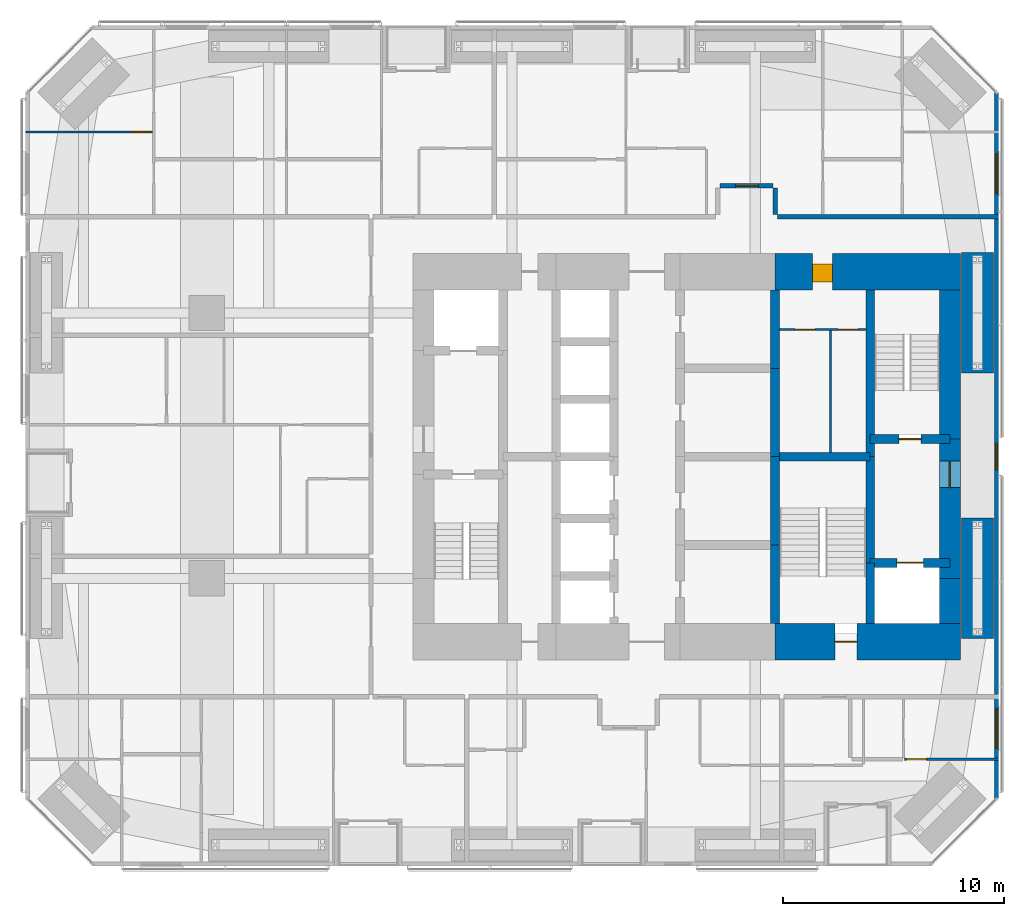
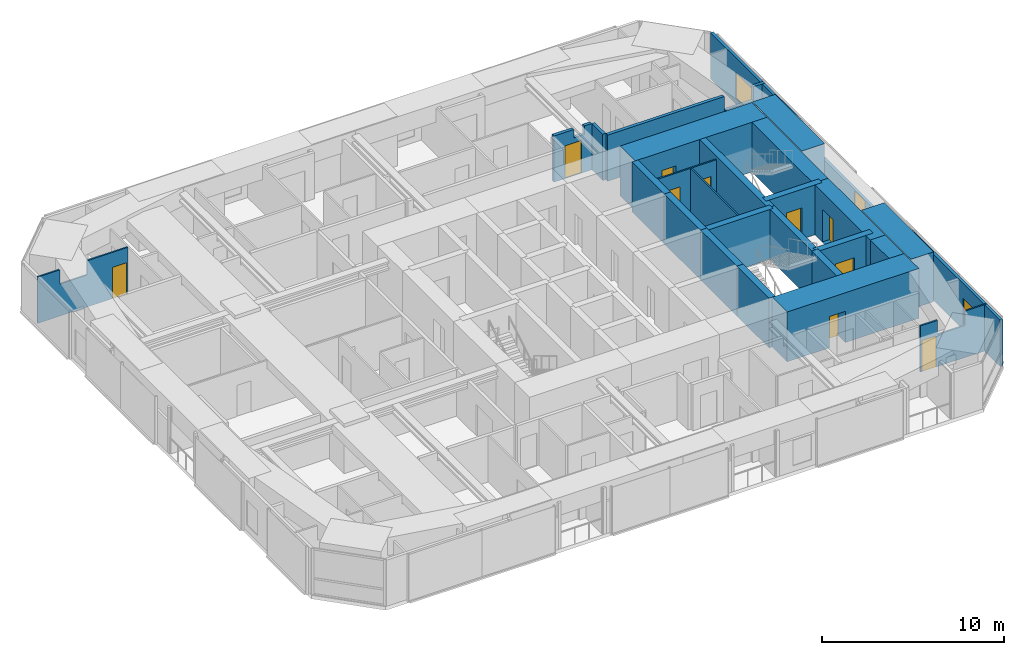
# One storey, part 20 of 23: 25 walls, 10 doors, 3 windows, 13 openings.
"""IFC4 building model written with IfcOpenShell, lengths in metres."""

from ifc_helpers import new_model, si_unit, direction, frame, frame_2d, origin, place, context, subcontext, project, spatial, polyline, rectangle, outline, extrude, material, layer, layer_set, constituent, constituent_set, type_object, element, fill, save


model = new_model("IFC4")

# Units and contexts
model_context = context("Model", 3, precision=1e-05, world=origin(), true_north=direction((0.0, 1.0)))
body_context = subcontext(model_context, "Body", "Model", "MODEL_VIEW")
ifc_project = project(units=[si_unit("LENGTHUNIT", "METRE"), si_unit("AREAUNIT", "SQUARE_METRE"), si_unit("VOLUMEUNIT", "CUBIC_METRE"), si_unit("PLANEANGLEUNIT", "RADIAN"), si_unit("MASSUNIT", "GRAM", prefix="KILO")], contexts=[model_context])

# Site, building, storey
site_placement = place(None, origin())
site = spatial("IfcSite", under=ifc_project, at=site_placement, CompositionType="ELEMENT")
building_placement = place(site_placement, origin())
building = spatial("IfcBuilding", under=site, at=building_placement, Name="Jalousie Tower", CompositionType="ELEMENT")
storey_placement = place(building_placement, frame((0.0, 0.0, 34.39990234375)))
storey = spatial("IfcBuildingStorey", under=building, at=storey_placement, Name="L08", CompositionType="ELEMENT", Elevation=34.39990234375)

# Wall, opening, door
ifc_material_1 = material(Name="Concrete f'c 120 MPa", Category="concrete")
ifc_layer_1 = layer(ifc_material_1, 1.64990234375)
ifc_layer_set_1 = layer_set([ifc_layer_1], Name="Concrete f'c 120 MPa")
wall_type_1 = type_object("IfcWallType", Name="CORE WALL 1650", PredefinedType="SHEAR", material=ifc_layer_set_1)
wall_1_placement = place(storey_placement, frame((35.89990234375, 10.125, 0.0), z_axis=(0.0, 0.0, 1.0), x_axis=(1.0, 0.0, 0.0)))
wall_1 = element("IfcWall", 1, at=wall_1_placement, inside=storey, type_object=wall_type_1, Name="Core wall SD L08", PredefinedType="SHEAR", context=body_context, shape_type="SweptSolid", body=[
    extrude(rectangle(XDim=8.375, YDim=1.64990234375, at=frame_2d((4.1875, 0.0))), origin(), (0.0, 0.0, 1.0), 3.35009765625),
])
opening_1_placement = place(wall_1_placement, frame((2.699951171875, 0.0, 0.0)))
opening_1 = element("IfcOpeningElement", 2, at=opening_1_placement, cuts=wall_1, Name="Opening D10", PredefinedType="OPENING", context=body_context, shape_type="SweptSolid", body=[
    extrude(rectangle(XDim=1.0, YDim=2.10009765625, at=frame_2d((0.5, 1.050048828125))), frame((0.0, 0.8349609375, 0.0), z_axis=(0.0, -1.0, 0.0), x_axis=(1.0, 0.0, 0.0)), (0.0, 0.0, 1.0), 1.669921875),
])
ifc_material_2 = material(Name="Steel fire door", Category="steel")
door_type_1 = type_object("IfcDoorType", Name="STAIR DOOR 1000", OperationType="SINGLE_SWING_LEFT", PredefinedType="DOOR", material=ifc_material_2)
door_1_placement = place(opening_1_placement, origin())
door_1 = element("IfcDoor", 3, at=door_1_placement, inside=storey, type_object=door_type_1, Name="Exit stair C door", OperationType="SINGLE_SWING_RIGHT", OverallHeight=2.10009765625, OverallWidth=1.0, PredefinedType="DOOR", context=body_context, shape_type="SweptSolid", body=[
    extrude(rectangle(XDim=1.0, YDim=2.10009765625, at=frame_2d((0.5, 1.050048828125))), frame((0.0, 0.02490234375, 0.0), z_axis=(0.0, -1.0, 0.0), x_axis=(1.0, 0.0, 0.0)), (0.0, 0.0, 1.0), 0.050048828125),
])
fill(opening_1, door_1)

wall_2_placement = place(storey_placement, frame((44.27490234375, 26.875, 0.0), z_axis=(0.0, 0.0, 1.0), x_axis=(-1.0, 0.0, 0.0)))
wall_2 = element("IfcWall", 4, at=wall_2_placement, inside=storey, type_object=wall_type_1, Name="Core wall NA L08", PredefinedType="SHEAR", context=body_context, shape_type="SweptSolid", body=[
    extrude(rectangle(XDim=8.375, YDim=1.64990234375, at=frame_2d((4.1875, 0.0))), origin(), (0.0, 0.0, 1.0), 3.35009765625),
])
opening_2_placement = place(wall_2_placement, frame((5.77490234375, 0.0, 0.0)))
opening_2 = element("IfcOpeningElement", 5, at=opening_2_placement, cuts=wall_2, Name="Opening D25", PredefinedType="OPENING", context=body_context, shape_type="SweptSolid", body=[
    extrude(rectangle(XDim=0.89990234375, YDim=2.10009765625, at=frame_2d((0.449951171875, 1.050048828125))), frame((0.0, 0.8349609375, 0.0), z_axis=(0.0, -1.0, 0.0), x_axis=(1.0, 0.0, 0.0)), (0.0, 0.0, 1.0), 1.669921875),
])
ifc_material_3 = material(Name="Steel fire door", Category="steel")
door_type_2 = type_object("IfcDoorType", Name="SERVICE LOBBY DOOR 900", OperationType="SINGLE_SWING_LEFT", PredefinedType="DOOR", material=ifc_material_3)
door_2_placement = place(opening_2_placement, origin())
door_2 = element("IfcDoor", 6, at=door_2_placement, inside=storey, type_object=door_type_2, Name="Service lobby door", OperationType="SINGLE_SWING_RIGHT", OverallHeight=2.10009765625, OverallWidth=0.89990234375, PredefinedType="DOOR", context=body_context, shape_type="SweptSolid", body=[
    extrude(rectangle(XDim=0.89990234375, YDim=2.10009765625, at=frame_2d((0.449951171875, 1.050048828125))), frame((0.0, 0.47021484375, 0.0), z_axis=(0.0, -1.0, 0.0), x_axis=(1.0, 0.0, 0.0)), (0.0, 0.0, 1.0), 0.800048828125),
])
fill(opening_2, door_2)

# Walls
ifc_material_4 = material(Name="Concrete f'c 120 MPa", Category="concrete")
ifc_layer_2 = layer(ifc_material_4, 0.39990234375)
ifc_layer_set_2 = layer_set([ifc_layer_2], Name="Concrete f'c 120 MPa")
wall_type_2 = type_object("IfcWallType", Name="CORE WALL 400", PredefinedType="SHEAR", material=ifc_layer_set_2)
wall_3_placement = place(storey_placement, frame((35.89990234375, 10.949951171875, 0.0), z_axis=(0.0, 0.0, 1.0), x_axis=(0.0, 1.0, 0.0)))
element("IfcWall", 7, at=wall_3_placement, inside=storey, type_object=wall_type_2, Name="Core wall X35.9A L08", PredefinedType="SHEAR", context=body_context, shape_type="SweptSolid", body=[
    extrude(rectangle(XDim=3.550048828125, YDim=0.39990234375, at=frame_2d((1.77490234375, 0.0))), origin(), (0.0, 0.0, 1.0), 3.35009765625),
])
for number, where, z_axis, x_axis, name in (
    (8, (35.89990234375, 14.5, 0.0), (0.0, 0.0, 1.0), (0.0, 1.0, 0.0), "Core wall X35.9B L08"),
    (9, (35.89990234375, 18.5, 0.0), (0.0, 0.0, 1.0), (0.0, 1.0, 0.0), "Core wall X35.9C L08"),
):
    element("IfcWall", number, at=place(storey_placement, frame(where, z_axis=z_axis, x_axis=x_axis)), inside=storey, type_object=wall_type_2, Name=name, PredefinedType="SHEAR", context=body_context, shape_type="SweptSolid", body=[
        extrude(rectangle(XDim=4.0, YDim=0.39990234375, at=frame_2d((2.0, 0.0))), origin(), (0.0, 0.0, 1.0), 3.35009765625),
    ])
wall_4_placement = place(storey_placement, frame((35.89990234375, 22.5, 0.0), z_axis=(0.0, 0.0, 1.0), x_axis=(0.0, 1.0, 0.0)))
element("IfcWall", 10, at=wall_4_placement, inside=storey, type_object=wall_type_2, Name="Core wall X35.9D L08", PredefinedType="SHEAR", context=body_context, shape_type="SweptSolid", body=[
    extrude(rectangle(XDim=3.550048828125, YDim=0.39990234375, at=frame_2d((1.77490234375, 0.0))), origin(), (0.0, 0.0, 1.0), 3.35009765625),
])
wall_5_placement = place(storey_placement, frame((40.199951171875, 10.949951171875, 0.0), z_axis=(0.0, 0.0, 1.0), x_axis=(0.0, 1.0, 0.0)))
element("IfcWall", 11, at=wall_5_placement, inside=storey, type_object=wall_type_2, Name="Core wall X40.2A L08", PredefinedType="SHEAR", context=body_context, shape_type="SweptSolid", body=[
    extrude(rectangle(XDim=2.75, YDim=0.39990234375, at=frame_2d((1.375, 0.0))), origin(), (0.0, 0.0, 1.0), 3.35009765625),
])
wall_6_placement = place(storey_placement, frame((40.199951171875, 13.699951171875, 0.0), z_axis=(0.0, 0.0, 1.0), x_axis=(0.0, 1.0, 0.0)))
element("IfcWall", 12, at=wall_6_placement, inside=storey, type_object=wall_type_2, Name="Core wall X40.2B L08", PredefinedType="SHEAR", context=body_context, shape_type="SweptSolid", body=[
    extrude(rectangle(XDim=4.800048828125, YDim=0.39990234375, at=frame_2d((2.39990234375, 0.0))), origin(), (0.0, 0.0, 1.0), 3.35009765625),
])
wall_7_placement = place(storey_placement, frame((40.199951171875, 18.5, 0.0), z_axis=(0.0, 0.0, 1.0), x_axis=(0.0, 1.0, 0.0)))
element("IfcWall", 13, at=wall_7_placement, inside=storey, type_object=wall_type_2, Name="Core wall X40.2C L08", PredefinedType="SHEAR", context=body_context, shape_type="SweptSolid", body=[
    extrude(rectangle(XDim=7.550048828125, YDim=0.39990234375, at=frame_2d((3.77490234375, 0.0))), origin(), (0.0, 0.0, 1.0), 3.35009765625),
])
wall_8_placement = place(storey_placement, frame((35.89990234375, 18.5, 0.0), z_axis=(0.0, 0.0, 1.0), x_axis=(1.0, 0.0, 0.0)))
element("IfcWall", 14, at=wall_8_placement, inside=storey, type_object=wall_type_2, Name="Core wall Y35.9-18.5 L08", PredefinedType="SHEAR", context=body_context, shape_type="SweptSolid", body=[
    extrude(rectangle(XDim=4.300048828125, YDim=0.39990234375, at=frame_2d((2.14990234375, 0.0))), origin(), (0.0, 0.0, 1.0), 3.35009765625),
])

# Wall, opening, door
wall_9_placement = place(storey_placement, frame((40.199951171875, 13.699951171875, 0.0), z_axis=(0.0, 0.0, 1.0), x_axis=(1.0, 0.0, 0.0)))
wall_9 = element("IfcWall", 15, at=wall_9_placement, inside=storey, type_object=wall_type_2, Name="Core wall Y40.2-13.7 L08", PredefinedType="SHEAR", context=body_context, shape_type="SweptSolid", body=[
    extrude(rectangle(XDim=3.60009765625, YDim=0.39990234375, at=frame_2d((1.800048828125, 0.0))), origin(), (0.0, 0.0, 1.0), 3.35009765625),
])
opening_3_placement = place(wall_9_placement, frame((1.199951171875, 0.0, 0.0)))
opening_3 = element("IfcOpeningElement", 16, at=opening_3_placement, cuts=wall_9, Name="Opening LD2", PredefinedType="OPENING", context=body_context, shape_type="SweptSolid", body=[
    extrude(rectangle(XDim=1.199951171875, YDim=2.10009765625, at=frame_2d((0.60009765625, 1.050048828125))), frame((0.0, 0.2099609375, 0.0), z_axis=(0.0, -1.0, 0.0), x_axis=(1.0, 0.0, 0.0)), (0.0, 0.0, 1.0), 0.419921875),
])
ifc_material_5 = material(Name="Steel lift landing door", Category="steel")
door_type_3 = type_object("IfcDoorType", Name="LIFT LANDING DOOR 1200", OperationType="SLIDING_TO_LEFT", PredefinedType="DOOR", material=ifc_material_5)
door_3_placement = place(opening_3_placement, origin())
door_3 = element("IfcDoor", 17, at=door_3_placement, inside=storey, type_object=door_type_3, Name="Lift F2 landing door", OperationType="SLIDING_TO_LEFT", OverallHeight=2.10009765625, OverallWidth=1.199951171875, PredefinedType="DOOR", context=body_context, shape_type="SweptSolid", body=[
    extrude(rectangle(XDim=1.199951171875, YDim=2.10009765625, at=frame_2d((0.60009765625, 1.050048828125))), frame((0.0, 0.02490234375, 0.0), z_axis=(0.0, -1.0, 0.0), x_axis=(1.0, 0.0, 0.0)), (0.0, 0.0, 1.0), 0.050048828125),
])
fill(opening_3, door_3)

wall_10_placement = place(storey_placement, frame((40.199951171875, 19.300048828125, 0.0), z_axis=(0.0, 0.0, 1.0), x_axis=(1.0, 0.0, 0.0)))
wall_10 = element("IfcWall", 18, at=wall_10_placement, inside=storey, type_object=wall_type_2, Name="Core wall Y40.2-19.3 L08", PredefinedType="SHEAR", context=body_context, shape_type="SweptSolid", body=[
    extrude(rectangle(XDim=3.60009765625, YDim=0.39990234375, at=frame_2d((1.800048828125, 0.0))), origin(), (0.0, 0.0, 1.0), 3.35009765625),
])
opening_4_placement = place(wall_10_placement, frame((1.300048828125, 0.0, 0.0)))
opening_4 = element("IfcOpeningElement", 19, at=opening_4_placement, cuts=wall_10, Name="Opening D10", PredefinedType="OPENING", context=body_context, shape_type="SweptSolid", body=[
    extrude(rectangle(XDim=1.0, YDim=2.10009765625, at=frame_2d((0.5, 1.050048828125))), frame((0.0, 0.2099609375, 0.0), z_axis=(0.0, -1.0, 0.0), x_axis=(1.0, 0.0, 0.0)), (0.0, 0.0, 1.0), 0.419921875),
])
door_4_placement = place(opening_4_placement, origin())
door_4 = element("IfcDoor", 20, at=door_4_placement, inside=storey, type_object=door_type_1, Name="Exit stair B door", OperationType="SINGLE_SWING_RIGHT", OverallHeight=2.10009765625, OverallWidth=1.0, PredefinedType="DOOR", context=body_context, shape_type="SweptSolid", body=[
    extrude(rectangle(XDim=1.0, YDim=2.10009765625, at=frame_2d((0.5, 1.050048828125))), frame((0.0, 0.02490234375, 0.0), z_axis=(0.0, -1.0, 0.0), x_axis=(1.0, 0.0, 0.0)), (0.0, 0.0, 1.0), 0.050048828125),
])
fill(opening_4, door_4)

# Wall
ifc_material_6 = material(Name="Concrete f'c 120 MPa", Category="concrete")
ifc_layer_3 = layer(ifc_material_6, 0.949951171875)
ifc_layer_set_3 = layer_set([ifc_layer_3], Name="Concrete f'c 120 MPa")
wall_type_3 = type_object("IfcWallType", Name="CORE WALL 950", PredefinedType="SHEAR", material=ifc_layer_set_3)
wall_11_placement = place(storey_placement, frame((43.800048828125, 10.949951171875, 0.0), z_axis=(0.0, 0.0, 1.0), x_axis=(0.0, 1.0, 0.0)))
element("IfcWall", 21, at=wall_11_placement, inside=storey, type_object=wall_type_3, Name="Core wall EA L08", PredefinedType="SHEAR", context=body_context, shape_type="SweptSolid", body=[
    extrude(rectangle(XDim=2.050048828125, YDim=0.949951171875, at=frame_2d((1.02490234375, 0.0))), origin(), (0.0, 0.0, 1.0), 3.35009765625),
])

# Wall, opening, door
wall_12_placement = place(storey_placement, frame((43.800048828125, 13.0, 0.0), z_axis=(0.0, 0.0, 1.0), x_axis=(0.0, 1.0, 0.0)))
wall_12 = element("IfcWall", 22, at=wall_12_placement, inside=storey, type_object=wall_type_3, Name="Core wall EB L08", PredefinedType="SHEAR", context=body_context, shape_type="SweptSolid", body=[
    extrude(rectangle(XDim=6.300048828125, YDim=0.949951171875, at=frame_2d((3.14990234375, 0.0))), origin(), (0.0, 0.0, 1.0), 3.35009765625),
])
opening_5_placement = place(wall_12_placement, frame((4.10009765625, 0.0, 0.0)))
opening_5 = element("IfcOpeningElement", 23, at=opening_5_placement, cuts=wall_12, Name="Opening D11", PredefinedType="OPENING", context=body_context, shape_type="SweptSolid", body=[
    extrude(rectangle(XDim=1.199951171875, YDim=2.199951171875, at=frame_2d((0.60009765625, 1.10009765625))), frame((0.0, 0.48486328125, 0.0), z_axis=(0.0, -1.0, 0.0), x_axis=(1.0, 0.0, 0.0)), (0.0, 0.0, 1.0), 0.969970703125),
])
ifc_material_7 = material(Name="Steel fire door", Category="steel")
door_type_4 = type_object("IfcDoorType", Name="FIRE DOOR 1200", OperationType="SINGLE_SWING_LEFT", PredefinedType="DOOR", material=ifc_material_7)
door_5_placement = place(opening_5_placement, origin())
door_5 = element("IfcDoor", 24, at=door_5_placement, inside=storey, type_object=door_type_4, Name="Fire-fighting lobby B door", OperationType="SINGLE_SWING_RIGHT", OverallHeight=2.199951171875, OverallWidth=1.199951171875, PredefinedType="DOOR", context=body_context, shape_type="SweptSolid", body=[
    extrude(rectangle(XDim=1.199951171875, YDim=2.199951171875, at=frame_2d((0.60009765625, 1.10009765625))), frame((0.0, 0.02490234375, 0.0), z_axis=(0.0, -1.0, 0.0), x_axis=(1.0, 0.0, 0.0)), (0.0, 0.0, 1.0), 0.050048828125),
])
fill(opening_5, door_5)

# Walls
wall_13_placement = place(storey_placement, frame((43.800048828125, 19.300048828125, 0.0), z_axis=(0.0, 0.0, 1.0), x_axis=(0.0, 1.0, 0.0)))
element("IfcWall", 25, at=wall_13_placement, inside=storey, type_object=wall_type_3, Name="Core wall EC L08", PredefinedType="SHEAR", context=body_context, shape_type="SweptSolid", body=[
    extrude(rectangle(XDim=6.75, YDim=0.949951171875, at=frame_2d((3.375, 0.0))), origin(), (0.0, 0.0, 1.0), 3.35009765625),
])
ifc_material_8 = material(Name="Concrete block ASTM C90", Category="concrete")
ifc_constituent_1 = constituent(ifc_material_8, Name="Body")
ifc_material_9 = material(Name="Render")
ifc_constituent_2 = constituent(ifc_material_9, Name="Finish")
ifc_constituent_set_1 = constituent_set(constituents=[ifc_constituent_1, ifc_constituent_2])
wall_type_4 = type_object("IfcWallType", Name="CORRIDOR WALL 200", PredefinedType="PARTITIONING", material=ifc_constituent_set_1)
wall_14_placement = place(storey_placement, frame((36.0, 29.35009765625, 0.0), z_axis=(0.0, 0.0, 1.0), x_axis=(1.0, 0.0, 0.0)))
element("IfcWall", 26, at=wall_14_placement, inside=storey, type_object=wall_type_4, Name="Corridor Wall 200 L08", PredefinedType="PARTITIONING", context=body_context, shape_type="SweptSolid", body=[
    extrude(outline(polyline([(0.0, 0.0), (10.0, 0.0), (10.0, 3.110107421875), (9.2666015625, 3.110107421875), (9.2666015625, 2.150146484375), (7.422607421875, 2.150146484375), (7.422607421875, 3.110107421875), (0.0, 3.110107421875), (0.0, 0.0)])), frame((0.0, 0.10009765625, 0.0), z_axis=(0.0, -1.0, 0.0), x_axis=(1.0, 0.0, 0.0)), (0.0, 0.0, 1.0), 0.199951171875),
])

# Wall, opening, door
wall_15_placement = place(storey_placement, frame((33.39990234375, 30.75, 0.0), z_axis=(0.0, 0.0, 1.0), x_axis=(1.0, 0.0, 0.0)))
wall_15 = element("IfcWall", 27, at=wall_15_placement, inside=storey, type_object=wall_type_4, Name="Corridor Wall 200 L08", PredefinedType="PARTITIONING", context=body_context, shape_type="SweptSolid", body=[
    extrude(outline(polyline([(0.0, 0.0), (2.400146484375, 0.0), (2.39990234375, 3.110107421875), (1.9375, 3.110107421875), (1.9375, 2.541015625), (1.2626953125, 2.541015625), (1.2626953125, 3.110107421875), (0.0, 3.110107421875), (0.0, 0.0)])), frame((0.0, 0.10009765625, 0.0), z_axis=(0.0, -1.0, 0.0), x_axis=(1.0, 0.0, 0.0)), (0.0, 0.0, 1.0), 0.199951171875),
])
opening_6_placement = place(wall_15_placement, frame((0.699951171875, 0.0, 0.0)))
opening_6 = element("IfcOpeningElement", 28, at=opening_6_placement, cuts=wall_15, Name="Opening D1", PredefinedType="OPENING", context=body_context, shape_type="SweptSolid", body=[
    extrude(rectangle(XDim=1.050048828125, YDim=2.199951171875, at=frame_2d((0.52490234375, 1.10009765625))), frame((0.0, 0.10986328125, 0.0), z_axis=(0.0, -1.0, 0.0), x_axis=(1.0, 0.0, 0.0)), (0.0, 0.0, 1.0), 0.219970703125),
])
ifc_material_10 = material(Name="Timber fire door", Category="wood")
door_type_5 = type_object("IfcDoorType", Name="APARTMENT ENTRANCE DOOR 1050", OperationType="SINGLE_SWING_LEFT", PredefinedType="DOOR", material=ifc_material_10)
door_6_placement = place(opening_6_placement, origin())
door_6 = element("IfcDoor", 29, at=door_6_placement, inside=storey, type_object=door_type_5, Name="Apartment 0805 entrance", OperationType="SINGLE_SWING_LEFT", OverallHeight=2.199951171875, OverallWidth=1.050048828125, PredefinedType="DOOR", context=body_context, shape_type="SweptSolid", body=[
    extrude(rectangle(XDim=1.050048828125, YDim=2.199951171875, at=frame_2d((0.52490234375, 1.10009765625))), frame((0.0, 0.02490234375, 0.0), z_axis=(0.0, -1.0, 0.0), x_axis=(1.0, 0.0, 0.0)), (0.0, 0.0, 1.0), 0.050048828125),
])
fill(opening_6, door_6)

# Wall
wall_16_placement = place(storey_placement, frame((35.89990234375, 29.449951171875, 0.0), z_axis=(0.0, 0.0, 1.0), x_axis=(0.0, 1.0, 0.0)))
element("IfcWall", 30, at=wall_16_placement, inside=storey, type_object=wall_type_4, Name="Corridor Wall 200 L08", PredefinedType="PARTITIONING", context=body_context, shape_type="SweptSolid", body=[
    extrude(rectangle(XDim=1.199951171875, YDim=0.199951171875, at=frame_2d((0.60009765625, 0.0))), origin(), (0.0, 0.0, 1.0), 3.110107421875),
])

# Wall, openings, windows
ifc_material_11 = material(Name="Concrete f'c 40 MPa", Category="concrete")
ifc_constituent_3 = constituent(ifc_material_11, Name="Body")
ifc_material_12 = material(Name="Render, pastel coral")
ifc_constituent_4 = constituent(ifc_material_12, Name="Finish")
ifc_constituent_set_2 = constituent_set(constituents=[ifc_constituent_3, ifc_constituent_4])
wall_type_5 = type_object("IfcWallType", Name="EXTERNAL WALL 175 CORAL RENDER", PredefinedType="SOLIDWALL", material=ifc_constituent_set_2)
wall_17_placement = place(storey_placement, frame((45.91259765625, 3.05126953125, 0.0), z_axis=(0.0, 0.0, 1.0), x_axis=(0.0, 1.0, 0.0)))
wall_17 = element("IfcWall", 31, at=wall_17_placement, inside=storey, type_object=wall_type_5, Name="External Wall 175 Coral Render L08", PredefinedType="SOLIDWALL", context=body_context, shape_type="SweptSolid", body=[
    extrude(outline(polyline([(0.0, 0.0), (31.8974609375, 0.0), (31.8974609375, 3.110107421875), (22.167236328125, 3.110107421875), (22.167236328125, 2.150146484375), (22.074462890625, 2.150146484375), (22.074462890625, 3.110107421875), (21.94873046875, 3.110107421875), (21.94873046875, 2.150146484375), (9.94873046875, 2.150146484375), (9.94873046875, 3.110107421875), (9.822998046875, 3.110107421875), (9.822998046875, 2.150146484375), (9.72998046875, 2.150146484375), (9.72998046875, 3.110107421875), (0.0, 3.110107421875), (0.0, 0.0)])), frame((0.0, 0.08740234375, 0.0), z_axis=(0.0, -1.0, 0.0), x_axis=(1.0, 0.0, 0.0)), (0.0, 0.0, 1.0), 0.175048828125),
])
opening_7_placement = place(wall_17_placement, frame((2.25732421875, 0.0, 0.39990234375)))
opening_7 = element("IfcOpeningElement", 32, at=opening_7_placement, cuts=wall_17, Name="Opening W-BED170", PredefinedType="OPENING", context=body_context, shape_type="SweptSolid", body=[
    extrude(rectangle(XDim=1.800048828125, YDim=1.699951171875, at=frame_2d((0.89990234375, 0.85009765625))), frame((0.0, 0.097412109375, 0.0), z_axis=(0.0, -1.0, 0.0), x_axis=(1.0, 0.0, 0.0)), (0.0, 0.0, 1.0), 0.195068359375),
])
opening_8_placement = place(wall_17_placement, frame((14.8486328125, 0.0, 0.39990234375)))
opening_8 = element("IfcOpeningElement", 33, at=opening_8_placement, cuts=wall_17, Name="Opening W-COR170", PredefinedType="OPENING", context=body_context, shape_type="SweptSolid", body=[
    extrude(rectangle(XDim=1.199951171875, YDim=1.699951171875, at=frame_2d((0.60009765625, 0.85009765625))), frame((0.0, 0.097412109375, 0.0), z_axis=(0.0, -1.0, 0.0), x_axis=(1.0, 0.0, 0.0)), (0.0, 0.0, 1.0), 0.195068359375),
])
opening_9_placement = place(wall_17_placement, frame((27.340087890625, 0.0, 0.39990234375)))
opening_9 = element("IfcOpeningElement", 34, at=opening_9_placement, cuts=wall_17, Name="Opening W-BED170", PredefinedType="OPENING", context=body_context, shape_type="SweptSolid", body=[
    extrude(rectangle(XDim=1.800048828125, YDim=1.699951171875, at=frame_2d((0.89990234375, 0.85009765625))), frame((0.0, 0.097412109375, 0.0), z_axis=(0.0, -1.0, 0.0), x_axis=(1.0, 0.0, 0.0)), (0.0, 0.0, 1.0), 0.195068359375),
])
ifc_material_13 = material(Name="Aluminium frame, impact-rated glazing", Category="aluminium")
window_type_1 = type_object("IfcWindowType", Name="WINDOW BED 1800x1700", PartitioningType="SINGLE_PANEL", PredefinedType="WINDOW", material=ifc_material_13)
window_1_placement = place(opening_7_placement, origin())
window_1 = element("IfcWindow", 35, at=window_1_placement, inside=storey, type_object=window_type_1, Name="Apartment 0803 bedroom 1 window", OverallHeight=1.699951171875, OverallWidth=1.800048828125, PartitioningType="SINGLE_PANEL", PredefinedType="WINDOW", context=body_context, shape_type="SweptSolid", body=[
    extrude(rectangle(XDim=1.800048828125, YDim=1.699951171875, at=frame_2d((0.89990234375, 0.85009765625))), frame((0.0, 0.030029296875, 0.0), z_axis=(0.0, -1.0, 0.0), x_axis=(1.0, 0.0, 0.0)), (0.0, 0.0, 1.0), 0.06005859375),
])
fill(opening_7, window_1)
window_2_placement = place(opening_9_placement, origin())
window_2 = element("IfcWindow", 36, at=window_2_placement, inside=storey, type_object=window_type_1, Name="Apartment 0805 bedroom 3 window", OverallHeight=1.699951171875, OverallWidth=1.800048828125, PartitioningType="SINGLE_PANEL", PredefinedType="WINDOW", context=body_context, shape_type="SweptSolid", body=[
    extrude(rectangle(XDim=1.800048828125, YDim=1.699951171875, at=frame_2d((0.89990234375, 0.85009765625))), frame((0.0, 0.030029296875, 0.0), z_axis=(0.0, -1.0, 0.0), x_axis=(1.0, 0.0, 0.0)), (0.0, 0.0, 1.0), 0.06005859375),
])
fill(opening_9, window_2)
ifc_material_14 = material(Name="Aluminium frame, impact-rated glazing", Category="aluminium")
window_type_2 = type_object("IfcWindowType", Name="WINDOW COR 1200x1700", PartitioningType="SINGLE_PANEL", PredefinedType="WINDOW", material=ifc_material_14)
window_3_placement = place(opening_8_placement, origin())
window_3 = element("IfcWindow", 37, at=window_3_placement, inside=storey, type_object=window_type_2, Name="Corridor window", OverallHeight=1.699951171875, OverallWidth=1.199951171875, PartitioningType="SINGLE_PANEL", PredefinedType="WINDOW", context=body_context, shape_type="SweptSolid", body=[
    extrude(rectangle(XDim=1.199951171875, YDim=1.699951171875, at=frame_2d((0.60009765625, 0.85009765625))), frame((0.0, 0.030029296875, 0.0), z_axis=(0.0, -1.0, 0.0), x_axis=(1.0, 0.0, 0.0)), (0.0, 0.0, 1.0), 0.06005859375),
])
fill(opening_8, window_3)

# Wall, opening, door
ifc_material_15 = material(Name="Gypsum board", Category="gypsum")
ifc_constituent_5 = constituent(ifc_material_15, Name="Body")
ifc_material_16 = material(Name="Light-gauge steel studs ASTM A653 SS Grade 33", Category="steel")
ifc_constituent_6 = constituent(ifc_material_16, Name="Framing")
ifc_constituent_set_3 = constituent_set(constituents=[ifc_constituent_5, ifc_constituent_6])
wall_type_6 = type_object("IfcWallType", Name="PARTITION 100", PredefinedType="PARTITIONING", material=ifc_constituent_set_3)
wall_18_placement = place(storey_placement, frame((41.75, 4.8173828125, 0.0), z_axis=(0.0, 0.0, 1.0), x_axis=(1.0, 0.0, 0.0)))
wall_18 = element("IfcWall", 38, at=wall_18_placement, inside=storey, type_object=wall_type_6, Name="Partition 100 L08", PredefinedType="PARTITIONING", context=body_context, shape_type="SweptSolid", body=[
    extrude(outline(polyline([(0.0, 0.0), (4.25, 0.0), (4.25, 3.110107421875), (2.84423828125, 3.110107421875), (2.84423828125, 2.150146484375), (1.101806640625, 2.150146484375), (1.101806640625, 3.110107421875), (0.0, 3.110107421875), (0.0, 0.0)])), frame((0.0, 0.050048828125, 0.0), z_axis=(0.0, -1.0, 0.0), x_axis=(1.0, 0.0, 0.0)), (0.0, 0.0, 1.0), 0.10009765625),
])
opening_10_placement = place(wall_18_placement, frame((0.10009765625, 0.0, 0.0)))
opening_10 = element("IfcOpeningElement", 39, at=opening_10_placement, cuts=wall_18, Name="Opening D2", PredefinedType="OPENING", context=body_context, shape_type="SweptSolid", body=[
    extrude(rectangle(XDim=0.89990234375, YDim=2.10009765625, at=frame_2d((0.449951171875, 1.050048828125))), frame((0.0, 0.06005859375, 0.0), z_axis=(0.0, -1.0, 0.0), x_axis=(1.0, 0.0, 0.0)), (0.0, 0.0, 1.0), 0.1201171875),
])
ifc_material_17 = material(Name="Timber door", Category="wood")
door_type_6 = type_object("IfcDoorType", Name="BEDROOM DOOR 900", OperationType="SINGLE_SWING_LEFT", PredefinedType="DOOR", material=ifc_material_17)
door_7_placement = place(opening_10_placement, origin())
door_7 = element("IfcDoor", 40, at=door_7_placement, inside=storey, type_object=door_type_6, Name="Apartment 0803 bedroom 1 door", OperationType="SINGLE_SWING_LEFT", OverallHeight=2.10009765625, OverallWidth=0.89990234375, PredefinedType="DOOR", context=body_context, shape_type="SweptSolid", body=[
    extrude(rectangle(XDim=0.89990234375, YDim=2.10009765625, at=frame_2d((0.449951171875, 1.050048828125))), frame((0.0, 0.02490234375, 0.0), z_axis=(0.0, -1.0, 0.0), x_axis=(1.0, 0.0, 0.0)), (0.0, 0.0, 1.0), 0.050048828125),
])
fill(opening_10, door_7)

wall_19_placement = place(storey_placement, frame((2.0, 33.1826171875, 0.0), z_axis=(0.0, 0.0, 1.0), x_axis=(1.0, 0.0, 0.0)))
wall_19 = element("IfcWall", 41, at=wall_19_placement, inside=storey, type_object=wall_type_6, Name="Partition 100 L08", PredefinedType="PARTITIONING", context=body_context, shape_type="SweptSolid", body=[
    extrude(outline(polyline([(0.0, 0.0), (5.75, 0.0), (5.75, 3.110107421875), (3.148193359375, 3.110107421875), (3.148193359375, 2.150146484375), (1.40576171875, 2.150146484375), (1.40576171875, 3.110107421875), (0.0, 3.110107421875), (0.0, 0.0)])), frame((0.0, 0.050048828125, 0.0), z_axis=(0.0, -1.0, 0.0), x_axis=(1.0, 0.0, 0.0)), (0.0, 0.0, 1.0), 0.10009765625),
])
opening_11_placement = place(wall_19_placement, frame((4.75, 0.0, 0.0)))
opening_11 = element("IfcOpeningElement", 42, at=opening_11_placement, cuts=wall_19, Name="Opening D7", PredefinedType="OPENING", context=body_context, shape_type="SweptSolid", body=[
    extrude(rectangle(XDim=0.89990234375, YDim=2.10009765625, at=frame_2d((0.449951171875, 1.050048828125))), frame((0.0, 0.06005859375, 0.0), z_axis=(0.0, -1.0, 0.0), x_axis=(1.0, 0.0, 0.0)), (0.0, 0.0, 1.0), 0.1201171875),
])
ifc_material_18 = material(Name="Timber door", Category="wood")
door_type_7 = type_object("IfcDoorType", Name="INTERNAL DOOR 900", OperationType="SINGLE_SWING_LEFT", PredefinedType="DOOR", material=ifc_material_18)
door_8_placement = place(opening_11_placement, frame((0.89990234375, 0.0, 0.0), z_axis=(0.0, 0.0, 1.0), x_axis=(-1.0, 0.0, 0.0)))
door_8 = element("IfcDoor", 43, at=door_8_placement, inside=storey, type_object=door_type_7, Name="Apartment 0804 bedroom 1 dressing hall door", OperationType="SINGLE_SWING_LEFT", OverallHeight=2.10009765625, OverallWidth=0.89990234375, PredefinedType="DOOR", context=body_context, shape_type="SweptSolid", body=[
    extrude(rectangle(XDim=0.89990234375, YDim=2.10009765625, at=frame_2d((0.449951171875, 1.050048828125))), frame((0.0, 0.02490234375, 0.0), z_axis=(0.0, -1.0, 0.0), x_axis=(1.0, 0.0, 0.0)), (0.0, 0.0, 1.0), 0.050048828125),
])
fill(opening_11, door_8)

# Wall, openings, doors
wall_20_placement = place(storey_placement, frame((36.10009765625, 24.25, 0.0), z_axis=(0.0, 0.0, 1.0), x_axis=(1.0, 0.0, 0.0)))
wall_20 = element("IfcWall", 44, at=wall_20_placement, inside=storey, type_object=wall_type_6, Name="Partition 100 L08", PredefinedType="PARTITIONING", context=body_context, shape_type="SweptSolid", body=[
    extrude(rectangle(XDim=3.89990234375, YDim=0.10009765625, at=frame_2d((1.949951171875, 0.0))), origin(), (0.0, 0.0, 1.0), 3.110107421875),
])
opening_12_placement = place(wall_20_placement, frame((0.699951171875, 0.0, 0.0)))
opening_12 = element("IfcOpeningElement", 45, at=opening_12_placement, cuts=wall_20, Name="Opening D7", PredefinedType="OPENING", context=body_context, shape_type="SweptSolid", body=[
    extrude(rectangle(XDim=0.89990234375, YDim=2.10009765625, at=frame_2d((0.449951171875, 1.050048828125))), frame((0.0, 0.06005859375, 0.0), z_axis=(0.0, -1.0, 0.0), x_axis=(1.0, 0.0, 0.0)), (0.0, 0.0, 1.0), 0.1201171875),
])
opening_13_placement = place(wall_20_placement, frame((2.64990234375, 0.0, 0.0)))
opening_13 = element("IfcOpeningElement", 46, at=opening_13_placement, cuts=wall_20, Name="Opening D7", PredefinedType="OPENING", context=body_context, shape_type="SweptSolid", body=[
    extrude(rectangle(XDim=0.89990234375, YDim=2.10009765625, at=frame_2d((0.449951171875, 1.050048828125))), frame((0.0, 0.06005859375, 0.0), z_axis=(0.0, -1.0, 0.0), x_axis=(1.0, 0.0, 0.0)), (0.0, 0.0, 1.0), 0.1201171875),
])
door_9_placement = place(opening_12_placement, frame((0.89990234375, 0.0, 0.0), z_axis=(0.0, 0.0, 1.0), x_axis=(-1.0, 0.0, 0.0)))
door_9 = element("IfcDoor", 47, at=door_9_placement, inside=storey, type_object=door_type_7, Name="IT room door", OperationType="SINGLE_SWING_LEFT", OverallHeight=2.10009765625, OverallWidth=0.89990234375, PredefinedType="DOOR", context=body_context, shape_type="SweptSolid", body=[
    extrude(rectangle(XDim=0.89990234375, YDim=2.10009765625, at=frame_2d((0.449951171875, 1.050048828125))), frame((0.0, 0.02490234375, 0.0), z_axis=(0.0, -1.0, 0.0), x_axis=(1.0, 0.0, 0.0)), (0.0, 0.0, 1.0), 0.050048828125),
])
fill(opening_12, door_9)
door_10_placement = place(opening_13_placement, frame((0.89990234375, 0.0, 0.0), z_axis=(0.0, 0.0, 1.0), x_axis=(-1.0, 0.0, 0.0)))
door_10 = element("IfcDoor", 48, at=door_10_placement, inside=storey, type_object=door_type_7, Name="Staff WC door", OperationType="SINGLE_SWING_RIGHT", OverallHeight=2.10009765625, OverallWidth=0.89990234375, PredefinedType="DOOR", context=body_context, shape_type="SweptSolid", body=[
    extrude(rectangle(XDim=0.89990234375, YDim=2.10009765625, at=frame_2d((0.449951171875, 1.050048828125))), frame((0.0, 0.02490234375, 0.0), z_axis=(0.0, -1.0, 0.0), x_axis=(1.0, 0.0, 0.0)), (0.0, 0.0, 1.0), 0.050048828125),
])
fill(opening_13, door_10)

# Walls
wall_21_placement = place(storey_placement, frame((38.39990234375, 18.699951171875, 0.0), z_axis=(0.0, 0.0, 1.0), x_axis=(0.0, 1.0, 0.0)))
element("IfcWall", 49, at=wall_21_placement, inside=storey, type_object=wall_type_6, Name="Partition 100 L08", PredefinedType="PARTITIONING", context=body_context, shape_type="SweptSolid", body=[
    extrude(rectangle(XDim=5.5, YDim=0.10009765625, at=frame_2d((2.75, 0.0))), origin(), (0.0, 0.0, 1.0), 3.110107421875),
])
ifc_material_19 = material(Name="Concrete f'c 120 MPa", Category="concrete")
ifc_layer_4 = layer(ifc_material_19, 1.449951171875)
ifc_layer_set_4 = layer_set([ifc_layer_4], Name="Concrete f'c 120 MPa")
wall_type_7 = type_object("IfcWallType", Name="RC WALL PIER 1450", PredefinedType="SHEAR", material=ifc_layer_set_4)
for number, where, z_axis, x_axis, name in (
    (50, (45.050048828125, 10.27490234375, 0.0), (0.0, 0.0, 1.0), (0.0, 1.0, 0.0), "Wall pier 06 L08"),
    (51, (45.050048828125, 22.27490234375, 0.0), (0.0, 0.0, 1.0), (0.0, 1.0, 0.0), "Wall pier 07 L08"),
):
    element("IfcWall", number, at=place(storey_placement, frame(where, z_axis=z_axis, x_axis=x_axis)), inside=storey, type_object=wall_type_7, Name=name, PredefinedType="SHEAR", context=body_context, shape_type="SweptSolid", body=[
        extrude(rectangle(XDim=5.4501953125, YDim=1.449951171875, at=frame_2d((2.72509765625, 0.0))), origin(), (0.0, 0.0, 1.0), 3.35009765625),
    ])

save(model, "model.ifc")
